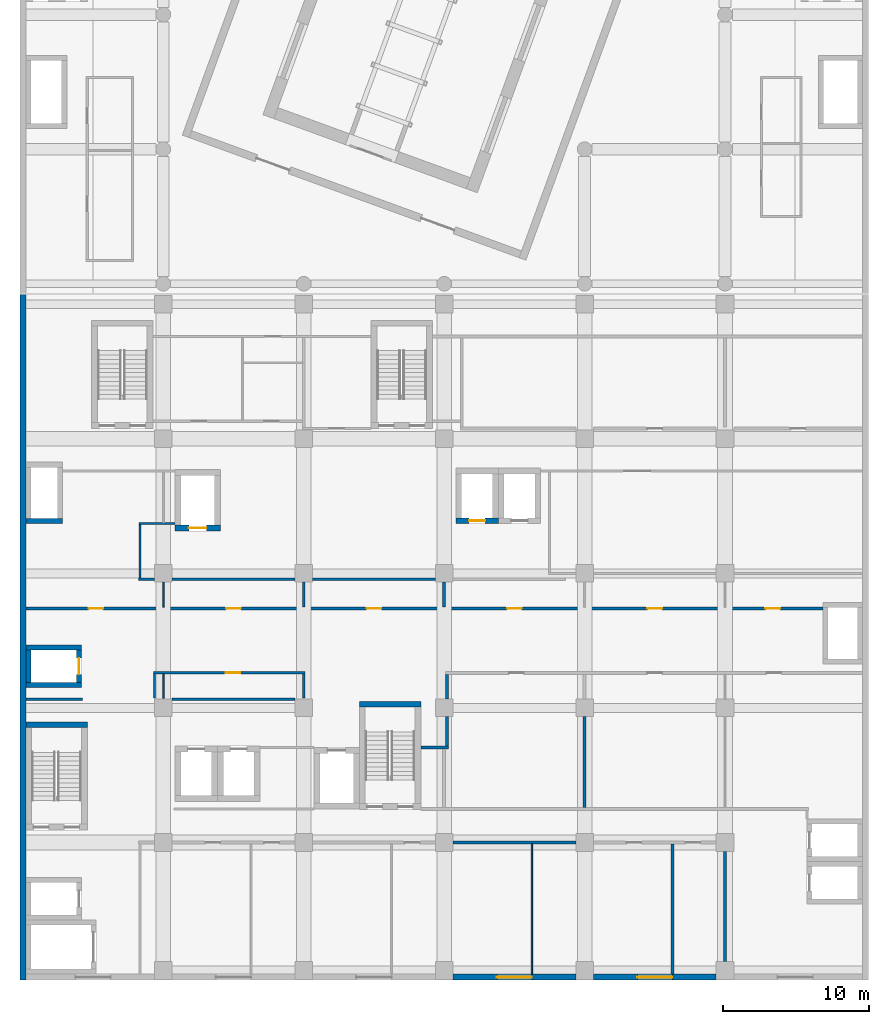
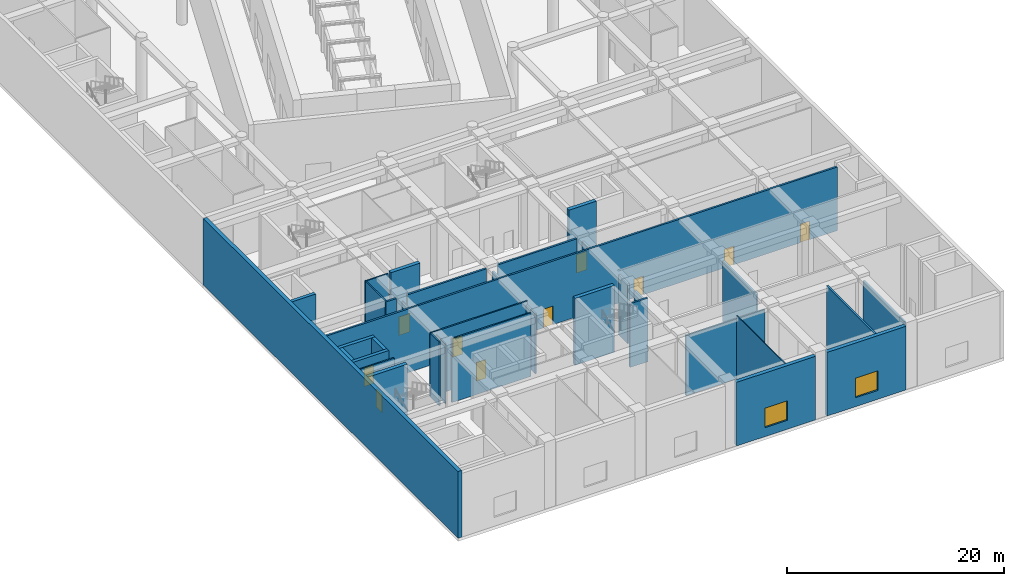
# One storey, part 14 of 36: 35 walls, 10 doors, 2 windows, 12 openings.
"""IFC4 building model written with IfcOpenShell, lengths in metres."""

from ifc_helpers import new_model, si_unit, direction, frame, frame_2d, origin, place, context, subcontext, project, spatial, rectangle, extrude, material, layer, layer_set, layer_usage, type_object, element, fill, save


model = new_model("IFC4")

# Units and contexts
model_context = context("Model", 3, precision=1e-05, world=origin(), true_north=direction((0.0, 1.0)))
body_context = subcontext(model_context, "Body", "Model", "MODEL_VIEW")
ifc_project = project(units=[si_unit("LENGTHUNIT", "METRE"), si_unit("AREAUNIT", "SQUARE_METRE"), si_unit("VOLUMEUNIT", "CUBIC_METRE"), si_unit("PLANEANGLEUNIT", "RADIAN"), si_unit("MASSUNIT", "GRAM", prefix="KILO")], contexts=[model_context])

# Site, building, storey
site_placement = place(None, origin())
site = spatial("IfcSite", under=ifc_project, at=site_placement, CompositionType="ELEMENT")
building_placement = place(site_placement, origin())
building = spatial("IfcBuilding", under=site, at=building_placement, Name="Nzadi Deep Aquarium and Research Tower", CompositionType="ELEMENT")
storey_placement = place(building_placement, frame((0.0, 0.0, 14.199951171875)))
storey = spatial("IfcBuildingStorey", under=building, at=storey_placement, Name="L02", CompositionType="ELEMENT", Elevation=14.199951171875)

# Walls
ifc_material_1 = material(Name="Blockwork masonry", Category="masonry")
ifc_layer_1 = layer(ifc_material_1, 0.10009765625)
ifc_layer_set_1 = layer_set([ifc_layer_1], Name="Blockwork masonry")
wall_type_1 = type_object("IfcWallType", Name="Partition 100 EI 30", PredefinedType="PARTITIONING", material=ifc_layer_set_1)
wall_1_placement = place(storey_placement, frame((9.60009765625, 19.074951171875, 0.0), z_axis=(0.0, 0.0, 1.0), x_axis=(0.0, 1.0, 0.0)))
element("IfcWall", 1, at=wall_1_placement, inside=storey, type_object=wall_type_1, Name="W-Z1-L02-P013", PredefinedType="PARTITIONING", context=body_context, shape_type="SweptSolid", body=[
    extrude(rectangle(XDim=1.650146484375, YDim=0.10009765625, at=frame_2d((0.8251953125, 0.0))), origin(), (0.0, 0.0, 1.0), 6.75),
])
wall_2_placement = place(storey_placement, frame((9.60009765625, 25.300048828125, 0.0), z_axis=(0.0, 0.0, 1.0), x_axis=(0.0, 1.0, 0.0)))
element("IfcWall", 2, at=wall_2_placement, inside=storey, type_object=wall_type_1, Name="W-Z1-L02-P014", PredefinedType="PARTITIONING", context=body_context, shape_type="SweptSolid", body=[
    extrude(rectangle(XDim=1.699951171875, YDim=0.10009765625, at=frame_2d((0.85009765625, 0.0))), origin(), (0.0, 0.0, 1.0), 6.75),
])
ifc_material_2 = material(Name="Blockwork masonry", Category="masonry")
ifc_layer_2 = layer(ifc_material_2, 0.10009765625)
ifc_layer_set_2 = layer_set([ifc_layer_2], Name="Blockwork masonry")
wall_type_2 = type_object("IfcWallType", Name="Partition 100 EI 30, 7.15 m high", PredefinedType="PARTITIONING", material=ifc_layer_set_2)
wall_3_placement = place(storey_placement, frame((34.800048828125, 0.2060546875, 0.0), z_axis=(0.0, 0.0, 1.0), x_axis=(0.0, 1.0, 0.0)))
element("IfcWall", 3, at=wall_3_placement, inside=storey, type_object=wall_type_2, Name="W-Z1-L02-P044", PredefinedType="PARTITIONING", context=body_context, shape_type="SweptSolid", body=[
    extrude(rectangle(XDim=8.89404296875, YDim=0.10009765625, at=frame_2d((4.447021484375, 0.0))), origin(), (0.0, 0.0, 1.0), 7.150146484375),
])
ifc_material_3 = material(Name="Blockwork masonry", Category="masonry")
ifc_layer_3 = layer(ifc_material_3, 0.14990234375)
ifc_layer_set_3 = layer_set([ifc_layer_3], Name="Blockwork masonry")
wall_type_3 = type_object("IfcWallType", Name="Partition 150 EI 60", PredefinedType="PARTITIONING", material=ifc_layer_set_3)
wall_4_placement = place(storey_placement, frame((0.2060546875, 19.0, 0.0), z_axis=(0.0, 0.0, 1.0), x_axis=(1.0, 0.0, 0.0)))
element("IfcWall", 4, at=wall_4_placement, inside=storey, type_object=wall_type_3, Name="W-Z1-L02-P001", PredefinedType="PARTITIONING", context=body_context, shape_type="SweptSolid", body=[
    extrude(rectangle(XDim=3.868896484375, YDim=0.14990234375, at=frame_2d((1.9345703125, 0.0))), origin(), (0.0, 0.0, 1.0), 7.150146484375),
])
wall_5_placement = place(storey_placement, frame((8.0, 27.300048828125, 0.0), z_axis=(0.0, 0.0, 1.0), x_axis=(0.0, 1.0, 0.0)))
element("IfcWall", 5, at=wall_5_placement, inside=storey, type_object=wall_type_3, Name="W-Z1-L02-P007", PredefinedType="PARTITIONING", context=body_context, shape_type="SweptSolid", body=[
    extrude(rectangle(XDim=3.625, YDim=0.14990234375, at=frame_2d((1.8125, 0.0))), origin(), (0.0, 0.0, 1.0), 7.150146484375),
])
wall_6_placement = place(storey_placement, frame((7.925048828125, 31.0, 0.0), z_axis=(0.0, 0.0, 1.0), x_axis=(1.0, 0.0, 0.0)))
element("IfcWall", 6, at=wall_6_placement, inside=storey, type_object=wall_type_3, Name="W-Z1-L02-P008", PredefinedType="PARTITIONING", context=body_context, shape_type="SweptSolid", body=[
    extrude(rectangle(XDim=2.468994140625, YDim=0.14990234375, at=frame_2d((1.234375, 0.0))), origin(), (0.0, 0.0, 1.0), 7.150146484375),
])
wall_7_placement = place(storey_placement, frame((9.0, 19.074951171875, 0.0), z_axis=(0.0, 0.0, 1.0), x_axis=(0.0, 1.0, 0.0)))
element("IfcWall", 7, at=wall_7_placement, inside=storey, type_object=wall_type_3, Name="W-Z1-L02-P011", PredefinedType="PARTITIONING", context=body_context, shape_type="SweptSolid", body=[
    extrude(rectangle(XDim=1.650146484375, YDim=0.14990234375, at=frame_2d((0.8251953125, 0.0))), origin(), (0.0, 0.0, 1.0), 7.150146484375),
])

# Wall, opening, door
wall_8_placement = place(storey_placement, frame((8.925048828125, 20.800048828125, 0.0), z_axis=(0.0, 0.0, 1.0), x_axis=(1.0, 0.0, 0.0)))
wall_8 = element("IfcWall", 8, at=wall_8_placement, inside=storey, type_object=wall_type_3, Name="W-Z1-L02-P012", PredefinedType="PARTITIONING", context=body_context, shape_type="SweptSolid", body=[
    extrude(rectangle(XDim=10.349853515625, YDim=0.14990234375, at=frame_2d((5.1748046875, 0.0))), origin(), (0.0, 0.0, 1.0), 7.150146484375),
])
opening_1_placement = place(wall_8_placement, frame((4.93994140625, 0.0, 0.0)))
opening_1 = element("IfcOpeningElement", 9, at=opening_1_placement, cuts=wall_8, Name="Opening D031001", PredefinedType="OPENING", context=body_context, shape_type="SweptSolid", body=[
    extrude(rectangle(XDim=1.0, YDim=2.10009765625, at=frame_2d((0.5, 1.050048828125))), frame((0.0, 0.0849609375, 0.0), z_axis=(0.0, -1.0, 0.0), x_axis=(1.0, 0.0, 0.0)), (0.0, 0.0, 1.0), 0.169921875),
])
ifc_material_4 = material(Name="Fire-rated steel door", Category="steel")
ifc_layer_4 = layer(ifc_material_4, 0.050048828125)
ifc_layer_set_4 = layer_set([ifc_layer_4], Name="Fire-rated steel door")
door_type_1 = type_object("IfcDoorType", Name="Door 1000x2100 EI 60 single", OperationType="SINGLE_SWING_LEFT", PredefinedType="DOOR", material=ifc_layer_set_4)
door_1_placement = place(opening_1_placement, origin())
door_1 = element("IfcDoor", 10, at=door_1_placement, inside=storey, type_object=door_type_1, Name="D031001", OperationType="SINGLE_SWING_LEFT", OverallHeight=2.10009765625, OverallWidth=1.0, PredefinedType="DOOR", context=body_context, shape_type="SweptSolid", body=[
    extrude(rectangle(XDim=1.0, YDim=2.10009765625, at=frame_2d((0.5, 1.050048828125))), frame((0.0, 0.02490234375, 0.0), z_axis=(0.0, -1.0, 0.0), x_axis=(1.0, 0.0, 0.0)), (0.0, 0.0, 1.0), 0.050048828125),
])
fill(opening_1, door_1)

# Walls
wall_9_placement = place(storey_placement, frame((10.199951171875, 19.0, 0.0), z_axis=(0.0, 0.0, 1.0), x_axis=(1.0, 0.0, 0.0)))
element("IfcWall", 11, at=wall_9_placement, inside=storey, type_object=wall_type_3, Name="W-Z1-L02-P017", PredefinedType="PARTITIONING", context=body_context, shape_type="SweptSolid", body=[
    extrude(rectangle(XDim=8.400146484375, YDim=0.14990234375, at=frame_2d((4.2001953125, 0.0))), origin(), (0.0, 0.0, 1.0), 7.150146484375),
])
ifc_material_5 = material(Name="Blockwork masonry", Category="masonry")
ifc_layer_5 = layer(ifc_material_5, 0.14990234375)
ifc_layer_set_5 = layer_set([ifc_layer_5], Name="Blockwork masonry")
wall_type_4 = type_object("IfcWallType", Name="Partition 150 EI 60, 6.75 m high", PredefinedType="PARTITIONING", material=ifc_layer_set_5)
wall_10_placement = place(storey_placement, frame((19.199951171875, 19.074951171875, 0.0), z_axis=(0.0, 0.0, 1.0), x_axis=(0.0, 1.0, 0.0)))
element("IfcWall", 12, at=wall_10_placement, inside=storey, type_object=wall_type_4, Name="W-Z1-L02-P025", PredefinedType="PARTITIONING", context=body_context, shape_type="SweptSolid", body=[
    extrude(rectangle(XDim=1.650146484375, YDim=0.14990234375, at=frame_2d((0.8251953125, 0.0))), origin(), (0.0, 0.0, 1.0), 6.75),
])

# Wall, openings, doors
ifc_material_6 = material(Name="Blockwork masonry", Category="masonry")
ifc_layer_6 = layer(ifc_material_6, 0.199951171875)
ifc_layer_set_6 = layer_set([ifc_layer_6], Name="Blockwork masonry")
wall_type_5 = type_object("IfcWallType", Name="Partition 200 EI 120", PredefinedType="PARTITIONING", material=ifc_layer_set_6)
wall_11_placement = place(storey_placement, frame((0.2060546875, 25.199951171875, 0.0), z_axis=(0.0, 0.0, 1.0), x_axis=(1.0, 0.0, 0.0)))
wall_11 = element("IfcWall", 13, at=wall_11_placement, inside=storey, type_object=wall_type_5, Name="W-Z1-L02-P002", PredefinedType="PARTITIONING", context=body_context, shape_type="SweptSolid", body=[
    extrude(rectangle(XDim=54.488037109375, YDim=0.199951171875, at=frame_2d((27.244140625, 0.0))), origin(), (0.0, 0.0, 1.0), 7.150146484375),
])
opening_2_placement = place(wall_11_placement, frame((4.281982421875, 0.0, 0.0)))
opening_2 = element("IfcOpeningElement", 14, at=opening_2_placement, cuts=wall_11, Name="Opening D031005", PredefinedType="OPENING", context=body_context, shape_type="SweptSolid", body=[
    extrude(rectangle(XDim=1.0, YDim=2.10009765625, at=frame_2d((0.5, 1.050048828125))), frame((0.0, 0.110107421875, 0.0), z_axis=(0.0, -1.0, 0.0), x_axis=(1.0, 0.0, 0.0)), (0.0, 0.0, 1.0), 0.22021484375),
])
opening_3_placement = place(wall_11_placement, frame((13.694091796875, 0.0, 0.0)))
opening_3 = element("IfcOpeningElement", 15, at=opening_3_placement, cuts=wall_11, Name="Opening D031006", PredefinedType="OPENING", context=body_context, shape_type="SweptSolid", body=[
    extrude(rectangle(XDim=1.0, YDim=2.10009765625, at=frame_2d((0.5, 1.050048828125))), frame((0.0, 0.110107421875, 0.0), z_axis=(0.0, -1.0, 0.0), x_axis=(1.0, 0.0, 0.0)), (0.0, 0.0, 1.0), 0.22021484375),
])
opening_4_placement = place(wall_11_placement, frame((23.2939453125, 0.0, 0.0)))
opening_4 = element("IfcOpeningElement", 16, at=opening_4_placement, cuts=wall_11, Name="Opening D031007", PredefinedType="OPENING", context=body_context, shape_type="SweptSolid", body=[
    extrude(rectangle(XDim=1.0, YDim=2.10009765625, at=frame_2d((0.5, 1.050048828125))), frame((0.0, 0.110107421875, 0.0), z_axis=(0.0, -1.0, 0.0), x_axis=(1.0, 0.0, 0.0)), (0.0, 0.0, 1.0), 0.22021484375),
])
opening_5_placement = place(wall_11_placement, frame((32.89404296875, 0.0, 0.0)))
opening_5 = element("IfcOpeningElement", 17, at=opening_5_placement, cuts=wall_11, Name="Opening D031008", PredefinedType="OPENING", context=body_context, shape_type="SweptSolid", body=[
    extrude(rectangle(XDim=1.0, YDim=2.10009765625, at=frame_2d((0.5, 1.050048828125))), frame((0.0, 0.110107421875, 0.0), z_axis=(0.0, -1.0, 0.0), x_axis=(1.0, 0.0, 0.0)), (0.0, 0.0, 1.0), 0.22021484375),
])
opening_6_placement = place(wall_11_placement, frame((42.493896484375, 0.0, 0.0)))
opening_6 = element("IfcOpeningElement", 18, at=opening_6_placement, cuts=wall_11, Name="Opening D031009", PredefinedType="OPENING", context=body_context, shape_type="SweptSolid", body=[
    extrude(rectangle(XDim=1.0, YDim=2.10009765625, at=frame_2d((0.5, 1.050048828125))), frame((0.0, 0.110107421875, 0.0), z_axis=(0.0, -1.0, 0.0), x_axis=(1.0, 0.0, 0.0)), (0.0, 0.0, 1.0), 0.22021484375),
])
opening_7_placement = place(wall_11_placement, frame((50.555908203125, 0.0, 0.0)))
opening_7 = element("IfcOpeningElement", 19, at=opening_7_placement, cuts=wall_11, Name="Opening D031010", PredefinedType="OPENING", context=body_context, shape_type="SweptSolid", body=[
    extrude(rectangle(XDim=1.0, YDim=2.10009765625, at=frame_2d((0.5, 1.050048828125))), frame((0.0, 0.110107421875, 0.0), z_axis=(0.0, -1.0, 0.0), x_axis=(1.0, 0.0, 0.0)), (0.0, 0.0, 1.0), 0.22021484375),
])
ifc_material_7 = material(Name="Fire-rated steel door", Category="steel")
ifc_layer_7 = layer(ifc_material_7, 0.050048828125)
ifc_layer_set_7 = layer_set([ifc_layer_7], Name="Fire-rated steel door")
door_type_2 = type_object("IfcDoorType", Name="Door 1000x2100 EI 120 single", OperationType="SINGLE_SWING_LEFT", PredefinedType="DOOR", material=ifc_layer_set_7)
door_2_placement = place(opening_2_placement, origin())
door_2 = element("IfcDoor", 20, at=door_2_placement, inside=storey, type_object=door_type_2, Name="D031005", OperationType="SINGLE_SWING_LEFT", OverallHeight=2.10009765625, OverallWidth=1.0, PredefinedType="DOOR", context=body_context, shape_type="SweptSolid", body=[
    extrude(rectangle(XDim=1.0, YDim=2.10009765625, at=frame_2d((0.5, 1.050048828125))), frame((0.0, 0.02490234375, 0.0), z_axis=(0.0, -1.0, 0.0), x_axis=(1.0, 0.0, 0.0)), (0.0, 0.0, 1.0), 0.050048828125),
])
fill(opening_2, door_2)
door_3_placement = place(opening_3_placement, origin())
door_3 = element("IfcDoor", 21, at=door_3_placement, inside=storey, type_object=door_type_2, Name="D031006", OperationType="SINGLE_SWING_LEFT", OverallHeight=2.10009765625, OverallWidth=1.0, PredefinedType="DOOR", context=body_context, shape_type="SweptSolid", body=[
    extrude(rectangle(XDim=1.0, YDim=2.10009765625, at=frame_2d((0.5, 1.050048828125))), frame((0.0, 0.02490234375, 0.0), z_axis=(0.0, -1.0, 0.0), x_axis=(1.0, 0.0, 0.0)), (0.0, 0.0, 1.0), 0.050048828125),
])
fill(opening_3, door_3)
door_4_placement = place(opening_4_placement, origin())
door_4 = element("IfcDoor", 22, at=door_4_placement, inside=storey, type_object=door_type_2, Name="D031007", OperationType="SINGLE_SWING_RIGHT", OverallHeight=2.10009765625, OverallWidth=1.0, PredefinedType="DOOR", context=body_context, shape_type="SweptSolid", body=[
    extrude(rectangle(XDim=1.0, YDim=2.10009765625, at=frame_2d((0.5, 1.050048828125))), frame((0.0, 0.02490234375, 0.0), z_axis=(0.0, -1.0, 0.0), x_axis=(1.0, 0.0, 0.0)), (0.0, 0.0, 1.0), 0.050048828125),
])
fill(opening_4, door_4)
door_5_placement = place(opening_5_placement, origin())
door_5 = element("IfcDoor", 23, at=door_5_placement, inside=storey, type_object=door_type_2, Name="D031008", OperationType="SINGLE_SWING_RIGHT", OverallHeight=2.10009765625, OverallWidth=1.0, PredefinedType="DOOR", context=body_context, shape_type="SweptSolid", body=[
    extrude(rectangle(XDim=1.0, YDim=2.10009765625, at=frame_2d((0.5, 1.050048828125))), frame((0.0, 0.02490234375, 0.0), z_axis=(0.0, -1.0, 0.0), x_axis=(1.0, 0.0, 0.0)), (0.0, 0.0, 1.0), 0.050048828125),
])
fill(opening_5, door_5)
door_6_placement = place(opening_6_placement, origin())
door_6 = element("IfcDoor", 24, at=door_6_placement, inside=storey, type_object=door_type_2, Name="D031009", OperationType="SINGLE_SWING_RIGHT", OverallHeight=2.10009765625, OverallWidth=1.0, PredefinedType="DOOR", context=body_context, shape_type="SweptSolid", body=[
    extrude(rectangle(XDim=1.0, YDim=2.10009765625, at=frame_2d((0.5, 1.050048828125))), frame((0.0, 0.02490234375, 0.0), z_axis=(0.0, -1.0, 0.0), x_axis=(1.0, 0.0, 0.0)), (0.0, 0.0, 1.0), 0.050048828125),
])
fill(opening_6, door_6)
door_7_placement = place(opening_7_placement, origin())
door_7 = element("IfcDoor", 25, at=door_7_placement, inside=storey, type_object=door_type_2, Name="D031010", OperationType="SINGLE_SWING_RIGHT", OverallHeight=2.10009765625, OverallWidth=1.0, PredefinedType="DOOR", context=body_context, shape_type="SweptSolid", body=[
    extrude(rectangle(XDim=1.0, YDim=2.10009765625, at=frame_2d((0.5, 1.050048828125))), frame((0.0, 0.02490234375, 0.0), z_axis=(0.0, -1.0, 0.0), x_axis=(1.0, 0.0, 0.0)), (0.0, 0.0, 1.0), 0.050048828125),
])
fill(opening_7, door_7)

# Walls
wall_12_placement = place(storey_placement, frame((7.89990234375, 27.199951171875, 0.0), z_axis=(0.0, 0.0, 1.0), x_axis=(1.0, 0.0, 0.0)))
element("IfcWall", 26, at=wall_12_placement, inside=storey, type_object=wall_type_5, Name="W-Z1-L02-P005", PredefinedType="PARTITIONING", context=body_context, shape_type="SweptSolid", body=[
    extrude(rectangle(XDim=1.10009765625, YDim=0.199951171875, at=frame_2d((0.550048828125, 0.0))), origin(), (0.0, 0.0, 1.0), 7.150146484375),
])
wall_13_placement = place(storey_placement, frame((10.199951171875, 27.199951171875, 0.0), z_axis=(0.0, 0.0, 1.0), x_axis=(1.0, 0.0, 0.0)))
element("IfcWall", 27, at=wall_13_placement, inside=storey, type_object=wall_type_5, Name="W-Z1-L02-P018", PredefinedType="PARTITIONING", context=body_context, shape_type="SweptSolid", body=[
    extrude(rectangle(XDim=8.400146484375, YDim=0.199951171875, at=frame_2d((4.2001953125, 0.0))), origin(), (0.0, 0.0, 1.0), 7.150146484375),
])
wall_14_placement = place(storey_placement, frame((19.800048828125, 27.199951171875, 0.0), z_axis=(0.0, 0.0, 1.0), x_axis=(1.0, 0.0, 0.0)))
element("IfcWall", 28, at=wall_14_placement, inside=storey, type_object=wall_type_5, Name="W-Z1-L02-P029", PredefinedType="PARTITIONING", context=body_context, shape_type="SweptSolid", body=[
    extrude(rectangle(XDim=8.39990234375, YDim=0.199951171875, at=frame_2d((4.199951171875, 0.0))), origin(), (0.0, 0.0, 1.0), 7.150146484375),
])
wall_15_placement = place(storey_placement, frame((27.2060546875, 15.699951171875, 0.0), z_axis=(0.0, 0.0, 1.0), x_axis=(1.0, 0.0, 0.0)))
element("IfcWall", 29, at=wall_15_placement, inside=storey, type_object=wall_type_5, Name="W-Z1-L02-P032", PredefinedType="PARTITIONING", context=body_context, shape_type="SweptSolid", body=[
    extrude(rectangle(XDim=1.89404296875, YDim=0.199951171875, at=frame_2d((0.947021484375, 0.0))), origin(), (0.0, 0.0, 1.0), 7.150146484375),
])
wall_16_placement = place(storey_placement, frame((44.39990234375, 0.2060546875, 0.0), z_axis=(0.0, 0.0, 1.0), x_axis=(0.0, 1.0, 0.0)))
element("IfcWall", 30, at=wall_16_placement, inside=storey, type_object=wall_type_5, Name="W-Z1-L02-P054", PredefinedType="PARTITIONING", context=body_context, shape_type="SweptSolid", body=[
    extrude(rectangle(XDim=8.89404296875, YDim=0.199951171875, at=frame_2d((4.447021484375, 0.0))), origin(), (0.0, 0.0, 1.0), 7.150146484375),
])
ifc_material_8 = material(Name="Blockwork masonry", Category="masonry")
ifc_layer_8 = layer(ifc_material_8, 0.199951171875)
ifc_layer_set_8 = layer_set([ifc_layer_8], Name="Blockwork masonry")
wall_type_6 = type_object("IfcWallType", Name="Partition 200 EI 120, 6.75 m high", PredefinedType="PARTITIONING", material=ifc_layer_set_8)
for number, where, z_axis, x_axis, name in (
    (31, (19.199951171875, 25.300048828125, 0.0), (0.0, 0.0, 1.0), (0.0, 1.0, 0.0), "W-Z1-L02-P024"),
    (32, (28.800048828125, 25.300048828125, 0.0), (0.0, 0.0, 1.0), (0.0, 1.0, 0.0), "W-Z1-L02-P036"),
):
    element("IfcWall", number, at=place(storey_placement, frame(where, z_axis=z_axis, x_axis=x_axis)), inside=storey, type_object=wall_type_6, Name=name, PredefinedType="PARTITIONING", context=body_context, shape_type="SweptSolid", body=[
        extrude(rectangle(XDim=1.699951171875, YDim=0.199951171875, at=frame_2d((0.85009765625, 0.0))), origin(), (0.0, 0.0, 1.0), 6.75),
    ])
wall_17_placement = place(storey_placement, frame((29.0, 15.800048828125, 0.0), z_axis=(0.0, 0.0, 1.0), x_axis=(0.0, 1.0, 0.0)))
element("IfcWall", 33, at=wall_17_placement, inside=storey, type_object=wall_type_6, Name="W-Z1-L02-P037", PredefinedType="PARTITIONING", context=body_context, shape_type="SweptSolid", body=[
    extrude(rectangle(XDim=2.0, YDim=0.199951171875, at=frame_2d((1.0, 0.0))), origin(), (0.0, 0.0, 1.0), 6.75),
])
wall_18_placement = place(storey_placement, frame((29.0, 19.0, 0.0), z_axis=(0.0, 0.0, 1.0), x_axis=(0.0, 1.0, 0.0)))
element("IfcWall", 34, at=wall_18_placement, inside=storey, type_object=wall_type_6, Name="W-Z1-L02-P038", PredefinedType="PARTITIONING", context=body_context, shape_type="SweptSolid", body=[
    extrude(rectangle(XDim=1.699951171875, YDim=0.199951171875, at=frame_2d((0.85009765625, 0.0))), origin(), (0.0, 0.0, 1.0), 6.75),
])
wall_19_placement = place(storey_placement, frame((29.39990234375, 9.199951171875, 0.0), z_axis=(0.0, 0.0, 1.0), x_axis=(1.0, 0.0, 0.0)))
element("IfcWall", 35, at=wall_19_placement, inside=storey, type_object=wall_type_6, Name="W-Z1-L02-P040", PredefinedType="PARTITIONING", context=body_context, shape_type="SweptSolid", body=[
    extrude(rectangle(XDim=8.400146484375, YDim=0.199951171875, at=frame_2d((4.2001953125, 0.0))), origin(), (0.0, 0.0, 1.0), 6.75),
])
wall_20_placement = place(storey_placement, frame((38.39990234375, 11.60009765625, 0.0), z_axis=(0.0, 0.0, 1.0), x_axis=(0.0, 1.0, 0.0)))
element("IfcWall", 36, at=wall_20_placement, inside=storey, type_object=wall_type_6, Name="W-Z1-L02-P048", PredefinedType="PARTITIONING", context=body_context, shape_type="SweptSolid", body=[
    extrude(rectangle(XDim=6.199951171875, YDim=0.199951171875, at=frame_2d((3.10009765625, 0.0))), origin(), (0.0, 0.0, 1.0), 6.75),
])
wall_21_placement = place(storey_placement, frame((48.0, 1.050048828125, 0.0), z_axis=(0.0, 0.0, 1.0), x_axis=(0.0, 1.0, 0.0)))
element("IfcWall", 37, at=wall_21_placement, inside=storey, type_object=wall_type_6, Name="W-Z1-L02-P055", PredefinedType="PARTITIONING", context=body_context, shape_type="SweptSolid", body=[
    extrude(rectangle(XDim=7.550048828125, YDim=0.199951171875, at=frame_2d((3.77490234375, 0.0))), origin(), (0.0, 0.0, 1.0), 6.75),
])
ifc_material_9 = material(Name="Concrete C35/45", Category="concrete")
ifc_layer_9 = layer(ifc_material_9, 0.35009765625)
ifc_layer_set_9 = layer_set([ifc_layer_9], Name="Concrete C35/45")
wall_type_7 = type_object("IfcWallType", Name="RC core wall 350, 7.50 to 7.70 m high", PredefinedType="SHEAR", material=ifc_layer_set_9)
for number, where, z_axis, x_axis, name in (
    (38, (0.199951171875, 19.97509765625, 0.0), (0.0, 0.0, 1.0), (1.0, 0.0, 0.0), "W-CORE-PL1-L02-S"),
    (39, (0.199951171875, 22.52490234375, 0.0), (0.0, 0.0, 1.0), (1.0, 0.0, 0.0), "W-CORE-PL1-L02-N"),
):
    element("IfcWall", number, at=place(storey_placement, frame(where, z_axis=z_axis, x_axis=x_axis)), inside=storey, type_object=wall_type_7, Name=name, PredefinedType="SHEAR", context=body_context, shape_type="SweptSolid", body=[
        extrude(rectangle(XDim=3.800048828125, YDim=0.35009765625, at=frame_2d((1.89990234375, 0.0))), origin(), (0.0, 0.0, 1.0), 7.5),
    ])
wall_22_placement = place(storey_placement, frame((0.375, 20.14990234375, 0.0), z_axis=(0.0, 0.0, 1.0), x_axis=(0.0, 1.0, 0.0)))
element("IfcWall", 40, at=wall_22_placement, inside=storey, type_object=wall_type_7, Name="W-CORE-PL1-L02-W", PredefinedType="SHEAR", context=body_context, shape_type="SweptSolid", body=[
    extrude(rectangle(XDim=2.2001953125, YDim=0.35009765625, at=frame_2d((1.10009765625, 0.0))), origin(), (0.0, 0.0, 1.0), 7.5),
])

# Wall, opening, door
wall_23_placement = place(storey_placement, frame((3.824951171875, 20.14990234375, 0.0), z_axis=(0.0, 0.0, 1.0), x_axis=(0.0, 1.0, 0.0)))
wall_23 = element("IfcWall", 41, at=wall_23_placement, inside=storey, type_object=wall_type_7, Name="W-CORE-PL1-L02-E", PredefinedType="SHEAR", context=body_context, shape_type="SweptSolid", body=[
    extrude(rectangle(XDim=2.2001953125, YDim=0.35009765625, at=frame_2d((1.10009765625, 0.0))), origin(), (0.0, 0.0, 1.0), 7.5),
])
opening_8_placement = place(wall_23_placement, frame((0.550048828125, 0.0, 0.0)))
opening_8 = element("IfcOpeningElement", 42, at=opening_8_placement, cuts=wall_23, Name="Opening LD-PL1-L02", PredefinedType="OPENING", context=body_context, shape_type="SweptSolid", body=[
    extrude(rectangle(XDim=1.10009765625, YDim=2.10009765625, at=frame_2d((0.550048828125, 1.050048828125))), frame((0.0, 0.18505859375, 0.0), z_axis=(0.0, -1.0, 0.0), x_axis=(1.0, 0.0, 0.0)), (0.0, 0.0, 1.0), 0.3701171875),
])
ifc_material_10 = material(Name="Stainless steel 1.4301", Category="steel")
door_type_3 = type_object("IfcDoorType", Name="LANDING DOOR 1100x2100", OperationType="DOUBLE_DOOR_SLIDING", PredefinedType="DOOR", material=ifc_material_10)
door_8_placement = place(opening_8_placement, origin())
door_8 = element("IfcDoor", 43, at=door_8_placement, inside=storey, type_object=door_type_3, Name="Landing door PL1 L02", OperationType="DOUBLE_DOOR_SLIDING", OverallHeight=2.10009765625, OverallWidth=1.10009765625, PredefinedType="DOOR", context=body_context, shape_type="SweptSolid", body=[
    extrude(rectangle(XDim=1.10009765625, YDim=2.10009765625, at=frame_2d((0.550048828125, 1.050048828125))), frame((0.0, 0.02490234375, 0.0), z_axis=(0.0, -1.0, 0.0), x_axis=(1.0, 0.0, 0.0)), (0.0, 0.0, 1.0), 0.050048828125),
])
fill(opening_8, door_8)

# Walls
wall_24_placement = place(storey_placement, frame((0.199951171875, 31.175048828125, 0.0), z_axis=(0.0, 0.0, 1.0), x_axis=(1.0, 0.0, 0.0)))
element("IfcWall", 44, at=wall_24_placement, inside=storey, type_object=wall_type_7, Name="W-CORE-RS-Z1-W-L02-S", PredefinedType="SHEAR", context=body_context, shape_type="SweptSolid", body=[
    extrude(rectangle(XDim=2.5, YDim=0.35009765625, at=frame_2d((1.25, 0.0))), origin(), (0.0, 0.0, 1.0), 7.5),
])
ifc_material_11 = material(Name="Concrete C35/45", Category="concrete")
ifc_layer_10 = layer(ifc_material_11, 0.39990234375)
ifc_layer_set_10 = layer_set([ifc_layer_10], Name="Concrete C35/45")
wall_type_8 = type_object("IfcWallType", Name="RC core wall 400, 7.50 to 7.70 m high", PredefinedType="SHEAR", material=ifc_layer_set_10)
for number, where, z_axis, x_axis, name in (
    (45, (0.199951171875, 17.25, 0.0), (0.0, 0.0, 1.0), (1.0, 0.0, 0.0), "W-CORE-ST-Z1-SW-L02-N"),
    (46, (23.0, 18.64990234375, 0.0), (0.0, 0.0, 1.0), (1.0, 0.0, 0.0), "W-CORE-ST-Z1-SE-L02-N"),
):
    element("IfcWall", number, at=place(storey_placement, frame(where, z_axis=z_axis, x_axis=x_axis)), inside=storey, type_object=wall_type_8, Name=name, PredefinedType="SHEAR", context=body_context, shape_type="SweptSolid", body=[
        extrude(rectangle(XDim=4.199951171875, YDim=0.39990234375, at=frame_2d((2.10009765625, 0.0))), origin(), (0.0, 0.0, 1.0), 7.5),
    ])

# Wall, opening, door
wall_25_placement = place(storey_placement, frame((10.39990234375, 30.699951171875, 0.0), z_axis=(0.0, 0.0, 1.0), x_axis=(1.0, 0.0, 0.0)))
wall_25 = element("IfcWall", 47, at=wall_25_placement, inside=storey, type_object=wall_type_8, Name="W-CORE-FL2-L02-S", PredefinedType="SHEAR", context=body_context, shape_type="SweptSolid", body=[
    extrude(rectangle(XDim=3.10009765625, YDim=0.39990234375, at=frame_2d((1.550048828125, 0.0))), origin(), (0.0, 0.0, 1.0), 7.5),
])
opening_9_placement = place(wall_25_placement, frame((0.949951171875, 0.0, 0.0)))
opening_9 = element("IfcOpeningElement", 48, at=opening_9_placement, cuts=wall_25, Name="Opening LD-FL2-L02", PredefinedType="OPENING", context=body_context, shape_type="SweptSolid", body=[
    extrude(rectangle(XDim=1.199951171875, YDim=2.10009765625, at=frame_2d((0.60009765625, 1.050048828125))), frame((0.0, 0.2099609375, 0.0), z_axis=(0.0, -1.0, 0.0), x_axis=(1.0, 0.0, 0.0)), (0.0, 0.0, 1.0), 0.419921875),
])
ifc_material_12 = material(Name="Stainless steel 1.4301", Category="steel")
door_type_4 = type_object("IfcDoorType", Name="LANDING DOOR 1200x2100", OperationType="DOUBLE_DOOR_SLIDING", PredefinedType="DOOR", material=ifc_material_12)
door_9_placement = place(opening_9_placement, origin())
door_9 = element("IfcDoor", 49, at=door_9_placement, inside=storey, type_object=door_type_4, Name="Landing door FL2 L02", OperationType="DOUBLE_DOOR_SLIDING", OverallHeight=2.10009765625, OverallWidth=1.199951171875, PredefinedType="DOOR", context=body_context, shape_type="SweptSolid", body=[
    extrude(rectangle(XDim=1.199951171875, YDim=2.10009765625, at=frame_2d((0.60009765625, 1.050048828125))), frame((0.0, 0.02490234375, 0.0), z_axis=(0.0, -1.0, 0.0), x_axis=(1.0, 0.0, 0.0)), (0.0, 0.0, 1.0), 0.050048828125),
])
fill(opening_9, door_9)

wall_26_placement = place(storey_placement, frame((29.60009765625, 31.199951171875, 0.0), z_axis=(0.0, 0.0, 1.0), x_axis=(1.0, 0.0, 0.0)))
wall_26 = element("IfcWall", 50, at=wall_26_placement, inside=storey, type_object=wall_type_8, Name="W-CORE-TL3-L02-S", PredefinedType="SHEAR", context=body_context, shape_type="SweptSolid", body=[
    extrude(rectangle(XDim=2.89990234375, YDim=0.39990234375, at=frame_2d((1.449951171875, 0.0))), origin(), (0.0, 0.0, 1.0), 7.5),
])
opening_10_placement = place(wall_26_placement, frame((0.89990234375, 0.0, 0.0)))
opening_10 = element("IfcOpeningElement", 51, at=opening_10_placement, cuts=wall_26, Name="Opening LD-TL3-L02", PredefinedType="OPENING", context=body_context, shape_type="SweptSolid", body=[
    extrude(rectangle(XDim=1.10009765625, YDim=2.10009765625, at=frame_2d((0.550048828125, 1.050048828125))), frame((0.0, 0.2099609375, 0.0), z_axis=(0.0, -1.0, 0.0), x_axis=(1.0, 0.0, 0.0)), (0.0, 0.0, 1.0), 0.419921875),
])
door_10_placement = place(opening_10_placement, origin())
door_10 = element("IfcDoor", 52, at=door_10_placement, inside=storey, type_object=door_type_3, Name="Landing door TL3 L02", OperationType="DOUBLE_DOOR_SLIDING", OverallHeight=2.10009765625, OverallWidth=1.10009765625, PredefinedType="DOOR", context=body_context, shape_type="SweptSolid", body=[
    extrude(rectangle(XDim=1.10009765625, YDim=2.10009765625, at=frame_2d((0.550048828125, 1.050048828125))), frame((0.0, 0.02490234375, 0.0), z_axis=(0.0, -1.0, 0.0), x_axis=(1.0, 0.0, 0.0)), (0.0, 0.0, 1.0), 0.050048828125),
])
fill(opening_10, door_10)

# Wall
ifc_material_13 = material(Name="Concrete C35/45", Category="concrete")
ifc_layer_11 = layer(ifc_material_13, 0.39990234375)
ifc_layer_set_11 = layer_set([ifc_layer_11], Name="Concrete C35/45")
wall_type_9 = type_object("IfcWallType", Name="RC party wall 400, 7.50 to 7.70 m high", PredefinedType="SHEAR", material=ifc_layer_set_11)
wall_27_placement = place(storey_placement, frame((0.00048828125, -0.199951171875, 0.0), z_axis=(0.0, 0.0, 1.0), x_axis=(0.0, 1.0, 0.0)))
element("IfcWall", 53, at=wall_27_placement, inside=storey, type_object=wall_type_9, Name="W-PTY-Z1-L02-W", PredefinedType="SHEAR", context=body_context, shape_type="SweptSolid", body=[
    extrude(rectangle(XDim=46.8798828125, YDim=0.39990234375, at=frame_2d((23.43994140625, 0.0))), origin(), (0.0, 0.0, 1.0), 7.5),
])

# Wall, opening, window
ifc_material_14 = material(Name="Concrete C35/45", Category="concrete")
ifc_layer_12 = layer(ifc_material_14, 0.25, Category="cladding")
ifc_material_15 = material(Name="Mineral wool insulation")
ifc_layer_13 = layer(ifc_material_15, 0.10009765625, Category="insulation")
ifc_material_16 = material(Name="Concrete block lining", Category="concrete")
ifc_layer_14 = layer(ifc_material_16, 0.050048828125, Category="lining")
ifc_layer_set_12 = layer_set([ifc_layer_12, ifc_layer_13, ifc_layer_14], Name="Concrete C35/45, Mineral wool insulation, Concrete block lining")
ifc_layer_usage_1 = layer_usage(ifc_layer_set_12, "AXIS2", "POSITIVE", -0.199951171875)
wall_type_10 = type_object("IfcWallType", Name="South end wall board-formed concrete 400", PredefinedType="ELEMENTEDWALL", material=ifc_layer_set_12)
wall_28_placement = place(storey_placement, frame((29.39990234375, 0.0, 0.0), z_axis=(0.0, 0.0, 1.0), x_axis=(1.0, 0.0, 0.0)))
wall_28 = element("IfcWall", 54, at=wall_28_placement, inside=storey, type_object=wall_type_10, material=ifc_layer_usage_1, Name="South end wall L02", PredefinedType="ELEMENTEDWALL", context=body_context, shape_type="SweptSolid", body=[
    extrude(rectangle(XDim=8.400146484375, YDim=0.39990234375, at=frame_2d((4.2001953125, 0.0))), origin(), (0.0, 0.0, 1.0), 7.150146484375),
])
opening_11_placement = place(wall_28_placement, frame((3.0, 0.0, 1.0)))
opening_11 = element("IfcOpeningElement", 55, at=opening_11_placement, cuts=wall_28, Name="Opening WN09", PredefinedType="OPENING", context=body_context, shape_type="SweptSolid", body=[
    extrude(rectangle(XDim=2.39990234375, YDim=2.199951171875, at=frame_2d((1.199951171875, 1.10009765625))), frame((0.0, 0.2099609375, 0.0), z_axis=(0.0, -1.0, 0.0), x_axis=(1.0, 0.0, 0.0)), (0.0, 0.0, 1.0), 0.419921875),
])
ifc_material_17 = material(Name="Aluminium framed glazing", Category="aluminium")
window_type = type_object("IfcWindowType", Name="Punched window 2400x2200 sill 1000", PartitioningType="SINGLE_PANEL", PredefinedType="WINDOW", material=ifc_material_17)
window_1_placement = place(opening_11_placement, origin())
window_1 = element("IfcWindow", 56, at=window_1_placement, inside=storey, type_object=window_type, Name="Podium south face window L02", OverallHeight=2.199951171875, OverallWidth=2.39990234375, PartitioningType="SINGLE_PANEL", PredefinedType="WINDOW", context=body_context, shape_type="SweptSolid", body=[
    extrude(rectangle(XDim=2.39990234375, YDim=2.199951171875, at=frame_2d((1.199951171875, 1.10009765625))), frame((0.0, 0.030029296875, 0.0), z_axis=(0.0, -1.0, 0.0), x_axis=(1.0, 0.0, 0.0)), (0.0, 0.0, 1.0), 0.06005859375),
])
fill(opening_11, window_1)

ifc_layer_usage_2 = layer_usage(ifc_layer_set_12, "AXIS2", "POSITIVE", -0.199951171875)
wall_29_placement = place(storey_placement, frame((39.0, 0.0, 0.0), z_axis=(0.0, 0.0, 1.0), x_axis=(1.0, 0.0, 0.0)))
wall_29 = element("IfcWall", 57, at=wall_29_placement, inside=storey, type_object=wall_type_10, material=ifc_layer_usage_2, Name="South end wall L02", PredefinedType="ELEMENTEDWALL", context=body_context, shape_type="SweptSolid", body=[
    extrude(rectangle(XDim=8.39990234375, YDim=0.39990234375, at=frame_2d((4.199951171875, 0.0))), origin(), (0.0, 0.0, 1.0), 7.150146484375),
])
opening_12_placement = place(wall_29_placement, frame((3.0, 0.0, 1.0)))
opening_12 = element("IfcOpeningElement", 58, at=opening_12_placement, cuts=wall_29, Name="Opening WN09", PredefinedType="OPENING", context=body_context, shape_type="SweptSolid", body=[
    extrude(rectangle(XDim=2.39990234375, YDim=2.199951171875, at=frame_2d((1.199951171875, 1.10009765625))), frame((0.0, 0.2099609375, 0.0), z_axis=(0.0, -1.0, 0.0), x_axis=(1.0, 0.0, 0.0)), (0.0, 0.0, 1.0), 0.419921875),
])
window_2_placement = place(opening_12_placement, origin())
window_2 = element("IfcWindow", 59, at=window_2_placement, inside=storey, type_object=window_type, Name="Podium south face window L02", OverallHeight=2.199951171875, OverallWidth=2.39990234375, PartitioningType="SINGLE_PANEL", PredefinedType="WINDOW", context=body_context, shape_type="SweptSolid", body=[
    extrude(rectangle(XDim=2.39990234375, YDim=2.199951171875, at=frame_2d((1.199951171875, 1.10009765625))), frame((0.0, 0.030029296875, 0.0), z_axis=(0.0, -1.0, 0.0), x_axis=(1.0, 0.0, 0.0)), (0.0, 0.0, 1.0), 0.06005859375),
])
fill(opening_12, window_2)

save(model, "model.ifc")
